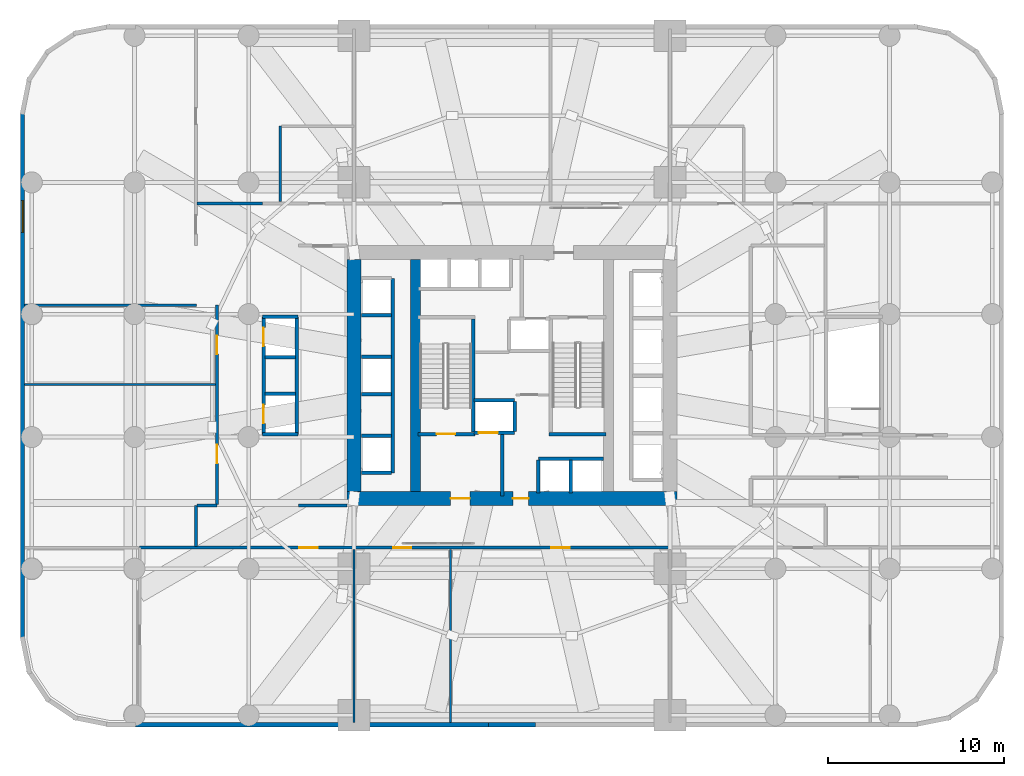
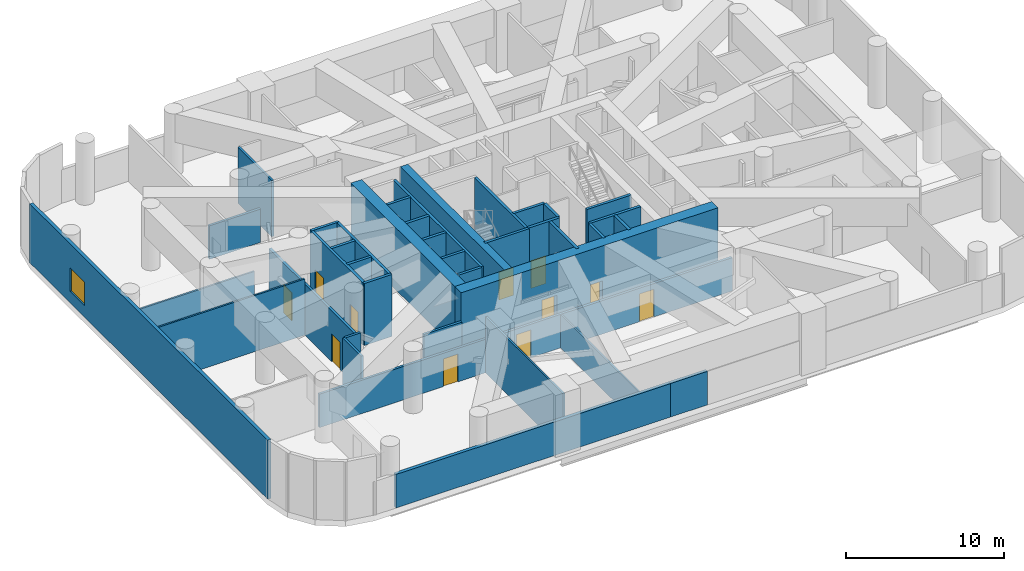
# One storey, part 6 of 10: 39 walls, 11 doors, 1 window, 12 openings.
"""IFC4 building model written with IfcOpenShell, lengths in metres."""

from ifc_helpers import new_model, si_unit, direction, frame, frame_2d, origin, place, context, subcontext, project, spatial, rectangle, extrude, material, layer, layer_set, type_object, element, fill, save


model = new_model("IFC4")

# Units and contexts
model_context = context("Model", 3, precision=1e-05, world=origin(), true_north=direction((0.0, 1.0)))
body_context = subcontext(model_context, "Body", "Model", "MODEL_VIEW")
ifc_project = project(units=[si_unit("LENGTHUNIT", "METRE"), si_unit("AREAUNIT", "SQUARE_METRE"), si_unit("VOLUMEUNIT", "CUBIC_METRE"), si_unit("PLANEANGLEUNIT", "RADIAN"), si_unit("MASSUNIT", "GRAM", prefix="KILO")], contexts=[model_context])

# Site, building, storey
site_placement = place(None, origin())
site = spatial("IfcSite", under=ifc_project, at=site_placement, CompositionType="ELEMENT")
building_placement = place(site_placement, origin())
building = spatial("IfcBuilding", under=site, at=building_placement, Name="Veldorim Arch Residences", CompositionType="ELEMENT")
storey_placement = place(building_placement, frame((0.0, 0.0, 20.0)))
storey = spatial("IfcBuildingStorey", under=building, at=storey_placement, Name="L05", CompositionType="ELEMENT", Elevation=20.0)

# Walls
ifc_material_1 = material(Name="Acoustic Gypsum Board", Category="gypsum")
ifc_layer_1 = layer(ifc_material_1, 0.125, Name="Acoustic Stud Room Partition Wall 125")
ifc_layer_set_1 = layer_set([ifc_layer_1], Name="Acoustic Gypsum Board")
wall_type_1 = type_object("IfcWallType", Name="Acoustic Stud Room Partition Wall 125", PredefinedType="PARTITIONING", material=ifc_layer_set_1)
wall_1_placement = place(storey_placement, frame((23.0, 14.10009765625, 0.0), z_axis=(0.0, 0.0, 1.0), x_axis=(0.0, -1.0, 0.0)))
element("IfcWall", 1, at=wall_1_placement, inside=storey, type_object=wall_type_1, Name="L05 interior wall WL-POD-L05-023", PredefinedType="PARTITIONING", context=body_context, shape_type="SweptSolid", body=[
    extrude(rectangle(XDim=9.85009765625, YDim=0.125, at=frame_2d((4.925048828125, 0.0))), origin(), (0.0, 0.0, 1.0), 4.344970703125),
])
wall_2_placement = place(storey_placement, frame((4.25, 23.5, 0.0), z_axis=(0.0, 0.0, 1.0), x_axis=(1.0, 0.0, 0.0)))
element("IfcWall", 2, at=wall_2_placement, inside=storey, type_object=wall_type_1, Name="L05 interior wall WL-POD-L05-024", PredefinedType="PARTITIONING", context=body_context, shape_type="SweptSolid", body=[
    extrude(rectangle(XDim=10.85009765625, YDim=0.125, at=frame_2d((5.425048828125, 0.0))), origin(), (0.0, 0.0, 1.0), 4.344970703125),
])
wall_3_placement = place(storey_placement, frame((4.25, 28.0, 0.0), z_axis=(0.0, 0.0, 1.0), x_axis=(1.0, 0.0, 0.0)))
element("IfcWall", 3, at=wall_3_placement, inside=storey, type_object=wall_type_1, Name="L05 interior wall WL-POD-L05-025", PredefinedType="PARTITIONING", context=body_context, shape_type="SweptSolid", body=[
    extrude(rectangle(XDim=9.77001953125, YDim=0.125, at=frame_2d((4.885009765625, 0.0))), origin(), (0.0, 0.0, 1.0), 2.587890625),
])
wall_4_placement = place(storey_placement, frame((28.5, 14.10009765625, 0.0), z_axis=(0.0, 0.0, 1.0), x_axis=(0.0, -1.0, 0.0)))
element("IfcWall", 4, at=wall_4_placement, inside=storey, type_object=wall_type_1, Name="L05 interior wall WL-POD-L05-034", PredefinedType="PARTITIONING", context=body_context, shape_type="SweptSolid", body=[
    extrude(rectangle(XDim=9.85009765625, YDim=0.125, at=frame_2d((4.925048828125, 0.0))), origin(), (0.0, 0.0, 1.0), 2.587890625),
])

# Wall, openings, doors
ifc_material_2 = material(Name="Lightweight Masonry Block & Gypsum", Category="masonry")
ifc_layer_2 = layer(ifc_material_2, 0.179931640625, Name="Compartment & Corridor Fire-Rated Party Wall 180")
ifc_layer_set_2 = layer_set([ifc_layer_2], Name="Lightweight Masonry Block & Gypsum")
wall_type_2 = type_object("IfcWallType", Name="Compartment & Corridor Fire-Rated Party Wall 180", PredefinedType="PARTITIONING", material=ifc_layer_set_2)
wall_5_placement = place(storey_placement, frame((41.02001953125, 14.199951171875, 0.0), z_axis=(0.0, 0.0, 1.0), x_axis=(-1.0, 0.0, 0.0)))
wall_5 = element("IfcWall", 5, at=wall_5_placement, inside=storey, type_object=wall_type_2, Name="L05 interior wall WL-POD-L05-001", PredefinedType="PARTITIONING", context=body_context, shape_type="SweptSolid", body=[
    extrude(rectangle(XDim=30.219970703125, YDim=0.179931640625, at=frame_2d((15.10986328125, 0.0))), origin(), (0.0, 0.0, 1.0), 2.587890625),
])
opening_1_placement = place(wall_5_placement, frame((20.0849609375, 0.0, 0.0)))
opening_1 = element("IfcOpeningElement", 6, at=opening_1_placement, cuts=wall_5, Name="Opening DR-CLN", PredefinedType="OPENING", context=body_context, shape_type="SweptSolid", body=[
    extrude(rectangle(XDim=1.050048828125, YDim=2.14990234375, at=frame_2d((0.52490234375, 1.074951171875))), frame((0.0, 0.099853515625, 0.0), z_axis=(0.0, -1.0, 0.0), x_axis=(1.0, 0.0, 0.0)), (0.0, 0.0, 1.0), 0.199951171875),
])
opening_2_placement = place(wall_5_placement, frame((14.7451171875, 0.0, 0.0)))
opening_2 = element("IfcOpeningElement", 7, at=opening_2_placement, cuts=wall_5, Name="Opening DR-CLN", PredefinedType="OPENING", context=body_context, shape_type="SweptSolid", body=[
    extrude(rectangle(XDim=1.050048828125, YDim=2.14990234375, at=frame_2d((0.52490234375, 1.074951171875))), frame((0.0, 0.099853515625, 0.0), z_axis=(0.0, -1.0, 0.0), x_axis=(1.0, 0.0, 0.0)), (0.0, 0.0, 1.0), 0.199951171875),
])
opening_3_placement = place(wall_5_placement, frame((5.7451171875, 0.0, 0.0)))
opening_3 = element("IfcOpeningElement", 8, at=opening_3_placement, cuts=wall_5, Name="Opening DR-CLN", PredefinedType="OPENING", context=body_context, shape_type="SweptSolid", body=[
    extrude(rectangle(XDim=1.050048828125, YDim=2.14990234375, at=frame_2d((0.52490234375, 1.074951171875))), frame((0.0, 0.099853515625, 0.0), z_axis=(0.0, -1.0, 0.0), x_axis=(1.0, 0.0, 0.0)), (0.0, 0.0, 1.0), 0.199951171875),
])
ifc_material_3 = material(Name="Timber & Vision Panel", Category="wood")
door_type_1 = type_object("IfcDoorType", Name="Polyclinic Wheelchair-Accessible Consultation Door 1050x2150", OperationType="SINGLE_SWING_LEFT", PredefinedType="DOOR", material=ifc_material_3)
door_1_placement = place(opening_1_placement, origin())
door_1 = element("IfcDoor", 9, at=door_1_placement, inside=storey, type_object=door_type_1, Name="L05 interior door DR-POD-L05-002", OperationType="SINGLE_SWING_RIGHT", OverallHeight=2.14990234375, OverallWidth=1.050048828125, PredefinedType="DOOR", context=body_context, shape_type="SweptSolid", body=[
    extrude(rectangle(XDim=1.050048828125, YDim=2.14990234375, at=frame_2d((0.52490234375, 1.074951171875))), frame((0.0, 0.02490234375, 0.0), z_axis=(0.0, -1.0, 0.0), x_axis=(1.0, 0.0, 0.0)), (0.0, 0.0, 1.0), 0.050048828125),
])
fill(opening_1, door_1)
door_2_placement = place(opening_2_placement, origin())
door_2 = element("IfcDoor", 10, at=door_2_placement, inside=storey, type_object=door_type_1, Name="L05 interior door DR-POD-L05-016", OperationType="SINGLE_SWING_RIGHT", OverallHeight=2.14990234375, OverallWidth=1.050048828125, PredefinedType="DOOR", context=body_context, shape_type="SweptSolid", body=[
    extrude(rectangle(XDim=1.050048828125, YDim=2.14990234375, at=frame_2d((0.52490234375, 1.074951171875))), frame((0.0, 0.02490234375, 0.0), z_axis=(0.0, -1.0, 0.0), x_axis=(1.0, 0.0, 0.0)), (0.0, 0.0, 1.0), 0.050048828125),
])
fill(opening_2, door_2)
door_3_placement = place(opening_3_placement, origin())
door_3 = element("IfcDoor", 11, at=door_3_placement, inside=storey, type_object=door_type_1, Name="L05 interior door DR-POD-L05-017", OperationType="SINGLE_SWING_LEFT", OverallHeight=2.14990234375, OverallWidth=1.050048828125, PredefinedType="DOOR", context=body_context, shape_type="SweptSolid", body=[
    extrude(rectangle(XDim=1.050048828125, YDim=2.14990234375, at=frame_2d((0.52490234375, 1.074951171875))), frame((0.0, 0.02490234375, 0.0), z_axis=(0.0, -1.0, 0.0), x_axis=(1.0, 0.0, 0.0)), (0.0, 0.0, 1.0), 0.050048828125),
])
fill(opening_3, door_3)

# Walls
wall_6_placement = place(storey_placement, frame((14.0, 14.260009765625, 0.0), z_axis=(0.0, 0.0, 1.0), x_axis=(0.0, 1.0, 0.0)))
element("IfcWall", 12, at=wall_6_placement, inside=storey, type_object=wall_type_2, Name="L05 interior wall WL-POD-L05-002", PredefinedType="PARTITIONING", context=body_context, shape_type="SweptSolid", body=[
    extrude(rectangle(XDim=2.340087890625, YDim=0.179931640625, at=frame_2d((1.169921875, 0.0))), origin(), (0.0, 0.0, 1.0), 4.344970703125),
])
wall_7_placement = place(storey_placement, frame((14.06005859375, 16.60009765625, 0.0), z_axis=(0.0, 0.0, 1.0), x_axis=(1.0, 0.0, 0.0)))
element("IfcWall", 13, at=wall_7_placement, inside=storey, type_object=wall_type_2, Name="L05 interior wall WL-POD-L05-003", PredefinedType="PARTITIONING", context=body_context, shape_type="SweptSolid", body=[
    extrude(rectangle(XDim=1.139892578125, YDim=0.179931640625, at=frame_2d((0.56982421875, 0.0))), origin(), (0.0, 0.0, 1.0), 4.344970703125),
])

# Wall, openings, doors
wall_8_placement = place(storey_placement, frame((15.199951171875, 16.659912109375, 0.0), z_axis=(0.0, 0.0, 1.0), x_axis=(0.0, 1.0, 0.0)))
wall_8 = element("IfcWall", 14, at=wall_8_placement, inside=storey, type_object=wall_type_2, Name="L05 interior wall WL-POD-L05-004", PredefinedType="PARTITIONING", context=body_context, shape_type="SweptSolid", body=[
    extrude(rectangle(XDim=11.360107421875, YDim=0.179931640625, at=frame_2d((5.68017578125, 0.0))), origin(), (0.0, 0.0, 1.0), 3.927734375),
])
opening_4_placement = place(wall_8_placement, frame((2.344970703125, 0.0, 0.0)))
opening_4 = element("IfcOpeningElement", 15, at=opening_4_placement, cuts=wall_8, Name="Opening DR-CLN", PredefinedType="OPENING", context=body_context, shape_type="SweptSolid", body=[
    extrude(rectangle(XDim=1.050048828125, YDim=2.14990234375, at=frame_2d((0.52490234375, 1.074951171875))), frame((0.0, 0.099853515625, 0.0), z_axis=(0.0, -1.0, 0.0), x_axis=(1.0, 0.0, 0.0)), (0.0, 0.0, 1.0), 0.199951171875),
])
opening_5_placement = place(wall_8_placement, frame((8.56494140625, 0.0, 0.0)))
opening_5 = element("IfcOpeningElement", 16, at=opening_5_placement, cuts=wall_8, Name="Opening DR-CLN", PredefinedType="OPENING", context=body_context, shape_type="SweptSolid", body=[
    extrude(rectangle(XDim=1.050048828125, YDim=2.14990234375, at=frame_2d((0.52490234375, 1.074951171875))), frame((0.0, 0.099853515625, 0.0), z_axis=(0.0, -1.0, 0.0), x_axis=(1.0, 0.0, 0.0)), (0.0, 0.0, 1.0), 0.199951171875),
])
door_4_placement = place(opening_4_placement, origin())
door_4 = element("IfcDoor", 17, at=door_4_placement, inside=storey, type_object=door_type_1, Name="L05 interior door DR-POD-L05-003", OperationType="SINGLE_SWING_LEFT", OverallHeight=2.14990234375, OverallWidth=1.050048828125, PredefinedType="DOOR", context=body_context, shape_type="SweptSolid", body=[
    extrude(rectangle(XDim=1.050048828125, YDim=2.14990234375, at=frame_2d((0.52490234375, 1.074951171875))), frame((0.0, 0.02490234375, 0.0), z_axis=(0.0, -1.0, 0.0), x_axis=(1.0, 0.0, 0.0)), (0.0, 0.0, 1.0), 0.050048828125),
])
fill(opening_4, door_4)
door_5_placement = place(opening_5_placement, origin())
door_5 = element("IfcDoor", 18, at=door_5_placement, inside=storey, type_object=door_type_1, Name="L05 interior door DR-POD-L05-004", OperationType="SINGLE_SWING_RIGHT", OverallHeight=2.14990234375, OverallWidth=1.050048828125, PredefinedType="DOOR", context=body_context, shape_type="SweptSolid", body=[
    extrude(rectangle(XDim=1.050048828125, YDim=2.14990234375, at=frame_2d((0.52490234375, 1.074951171875))), frame((0.0, 0.02490234375, 0.0), z_axis=(0.0, -1.0, 0.0), x_axis=(1.0, 0.0, 0.0)), (0.0, 0.0, 1.0), 0.050048828125),
])
fill(opening_5, door_5)

# Walls
wall_9_placement = place(storey_placement, frame((14.06005859375, 33.800048828125, 0.0), z_axis=(0.0, 0.0, 1.0), x_axis=(1.0, 0.0, 0.0)))
element("IfcWall", 19, at=wall_9_placement, inside=storey, type_object=wall_type_2, Name="L05 interior wall WL-POD-L05-007", PredefinedType="PARTITIONING", context=body_context, shape_type="SweptSolid", body=[
    extrude(rectangle(XDim=3.739990234375, YDim=0.179931640625, at=frame_2d((1.8701171875, 0.0))), origin(), (0.0, 0.0, 1.0), 2.587890625),
])
wall_10_placement = place(storey_placement, frame((19.830078125, 16.60009765625, 0.0), z_axis=(0.0, 0.0, 1.0), x_axis=(1.0, 0.0, 0.0)))
element("IfcWall", 20, at=wall_10_placement, inside=storey, type_object=wall_type_2, Name="L05 interior wall WL-POD-L05-009", PredefinedType="PARTITIONING", context=body_context, shape_type="SweptSolid", body=[
    extrude(rectangle(XDim=2.77001953125, YDim=0.179931640625, at=frame_2d((1.385009765625, 0.0))), origin(), (0.0, 0.0, 1.0), 2.587890625),
])
ifc_material_4 = material(Name="Concrete C50/60", Category="concrete")
ifc_layer_3 = layer(ifc_material_4, 0.199951171875, Name="Core Stair & Lift Shaft Enclosure Wall 200")
ifc_layer_set_3 = layer_set([ifc_layer_3], Name="Concrete C50/60")
wall_type_3 = type_object("IfcWallType", Name="Core Stair & Lift Shaft Enclosure Wall 200", PredefinedType="SHEAR", material=ifc_layer_set_3)
wall_11_placement = place(storey_placement, frame((29.7900390625, 20.780029296875, 0.0), z_axis=(0.0, 0.0, 1.0), x_axis=(0.0, 1.0, 0.0)))
element("IfcWall", 21, at=wall_11_placement, inside=storey, type_object=wall_type_3, Name="L05 shaft wall WL-SHF-L05-ST1-E", PredefinedType="SHEAR", context=body_context, shape_type="SweptSolid", body=[
    extrude(rectangle(XDim=6.43994140625, YDim=0.199951171875, at=frame_2d((3.219970703125, 0.0))), origin(), (0.0, 0.0, 1.0), 4.800048828125),
])

# Wall, opening, door
wall_12_placement = place(storey_placement, frame((26.64990234375, 20.669921875, 0.0), z_axis=(0.0, 0.0, 1.0), x_axis=(1.0, 0.0, 0.0)))
wall_12 = element("IfcWall", 22, at=wall_12_placement, inside=storey, type_object=wall_type_3, Name="L05 shaft wall WL-SHF-L05-ST1-S", PredefinedType="SHEAR", context=body_context, shape_type="SweptSolid", body=[
    extrude(rectangle(XDim=3.239990234375, YDim=0.199951171875, at=frame_2d((1.6201171875, 0.0))), origin(), (0.0, 0.0, 1.0), 4.800048828125),
])
opening_6_placement = place(wall_12_placement, frame((1.054931640625, 0.0, 0.0)))
opening_6 = element("IfcOpeningElement", 23, at=opening_6_placement, cuts=wall_12, Name="Opening DR-ST", PredefinedType="OPENING", context=body_context, shape_type="SweptSolid", body=[
    extrude(rectangle(XDim=1.050048828125, YDim=2.14990234375, at=frame_2d((0.52490234375, 1.074951171875))), frame((0.0, 0.10986328125, 0.0), z_axis=(0.0, -1.0, 0.0), x_axis=(1.0, 0.0, 0.0)), (0.0, 0.0, 1.0), 0.219970703125),
])
ifc_material_5 = material(Name="Fire-Rated Steel", Category="steel")
door_type_2 = type_object("IfcDoorType", Name="Exit Staircase Self-Closing Fire Door 1050x2150", OperationType="SINGLE_SWING_LEFT", PredefinedType="DOOR", material=ifc_material_5)
door_6_placement = place(opening_6_placement, origin())
door_6 = element("IfcDoor", 24, at=door_6_placement, inside=storey, type_object=door_type_2, Name="L05 interior door DR-L05-ST1", OperationType="SINGLE_SWING_LEFT", OverallHeight=2.14990234375, OverallWidth=1.050048828125, PredefinedType="DOOR", context=body_context, shape_type="SweptSolid", body=[
    extrude(rectangle(XDim=1.050048828125, YDim=2.14990234375, at=frame_2d((0.52490234375, 1.074951171875))), frame((0.0, 0.02490234375, 0.0), z_axis=(0.0, -1.0, 0.0), x_axis=(1.0, 0.0, 0.0)), (0.0, 0.0, 1.0), 0.050048828125),
])
fill(opening_6, door_6)

# Walls
wall_13_placement = place(storey_placement, frame((34.110107421875, 20.669921875, 0.0), z_axis=(0.0, 0.0, 1.0), x_axis=(1.0, 0.0, 0.0)))
element("IfcWall", 25, at=wall_13_placement, inside=storey, type_object=wall_type_3, Name="L05 shaft wall WL-SHF-L05-ST2-S", PredefinedType="SHEAR", context=body_context, shape_type="SweptSolid", body=[
    extrude(rectangle(XDim=3.239990234375, YDim=0.199951171875, at=frame_2d((1.6201171875, 0.0))), origin(), (0.0, 0.0, 1.0), 4.800048828125),
])
wall_14_placement = place(storey_placement, frame((31.449951171875, 17.14990234375, 0.0), z_axis=(0.0, 0.0, 1.0), x_axis=(0.0, 1.0, 0.0)))
element("IfcWall", 26, at=wall_14_placement, inside=storey, type_object=wall_type_3, Name="L05 shaft wall WL-FFL1-L05-E", PredefinedType="SHEAR", context=body_context, shape_type="SweptSolid", body=[
    extrude(rectangle(XDim=3.5, YDim=0.199951171875, at=frame_2d((1.75, 0.0))), origin(), (0.0, 0.0, 1.0), 4.800048828125),
])

# Wall, opening, door
wall_15_placement = place(storey_placement, frame((29.85009765625, 20.75, 0.0), z_axis=(0.0, 0.0, 1.0), x_axis=(1.0, 0.0, 0.0)))
wall_15 = element("IfcWall", 27, at=wall_15_placement, inside=storey, type_object=wall_type_3, Name="L05 shaft wall WL-FL01-L05-S", PredefinedType="SHEAR", context=body_context, shape_type="SweptSolid", body=[
    extrude(rectangle(XDim=2.2998046875, YDim=0.199951171875, at=frame_2d((1.14990234375, 0.0))), origin(), (0.0, 0.0, 1.0), 4.800048828125),
])
opening_7_placement = place(wall_15_placement, frame((0.25, 0.0, 0.0)))
opening_7 = element("IfcOpeningElement", 28, at=opening_7_placement, cuts=wall_15, Name="Opening LD-FF", PredefinedType="OPENING", context=body_context, shape_type="SweptSolid", body=[
    extrude(rectangle(XDim=1.10009765625, YDim=2.14990234375, at=frame_2d((0.550048828125, 1.074951171875))), frame((0.0, 0.10986328125, 0.0), z_axis=(0.0, -1.0, 0.0), x_axis=(1.0, 0.0, 0.0)), (0.0, 0.0, 1.0), 0.219970703125),
])
ifc_material_6 = material(Name="Stainless Steel", Category="steel")
door_type_3 = type_object("IfcDoorType", Name="Firefighting Lift Bi-Parting Sliding Landing Door 1100x2150", OperationType="DOUBLE_DOOR_SLIDING", PredefinedType="DOOR", material=ifc_material_6)
door_7_placement = place(opening_7_placement, origin())
door_7 = element("IfcDoor", 29, at=door_7_placement, inside=storey, type_object=door_type_3, Name="L05 lift landing door LD-L05-FL01", OperationType="DOUBLE_DOOR_SLIDING", OverallHeight=2.14990234375, OverallWidth=1.10009765625, PredefinedType="DOOR", context=body_context, shape_type="SweptSolid", body=[
    extrude(rectangle(XDim=1.10009765625, YDim=2.14990234375, at=frame_2d((0.550048828125, 1.074951171875))), frame((0.0, 0.02490234375, 0.0), z_axis=(0.0, -1.0, 0.0), x_axis=(1.0, 0.0, 0.0)), (0.0, 0.0, 1.0), 0.050048828125),
])
fill(opening_7, door_7)

# Walls
wall_16_placement = place(storey_placement, frame((29.85009765625, 22.60009765625, 0.0), z_axis=(0.0, 0.0, 1.0), x_axis=(1.0, 0.0, 0.0)))
element("IfcWall", 30, at=wall_16_placement, inside=storey, type_object=wall_type_3, Name="L05 shaft wall WL-FL01-L05-N", PredefinedType="SHEAR", context=body_context, shape_type="SweptSolid", body=[
    extrude(rectangle(XDim=2.2998046875, YDim=0.199951171875, at=frame_2d((1.14990234375, 0.0))), origin(), (0.0, 0.0, 1.0), 4.800048828125),
])
wall_17_placement = place(storey_placement, frame((32.14990234375, 20.820068359375, 0.0), z_axis=(0.0, 0.0, 1.0), x_axis=(0.0, 1.0, 0.0)))
element("IfcWall", 31, at=wall_17_placement, inside=storey, type_object=wall_type_3, Name="L05 shaft wall WL-FL01-L05-E", PredefinedType="SHEAR", context=body_context, shape_type="SweptSolid", body=[
    extrude(rectangle(XDim=1.7099609375, YDim=0.199951171875, at=frame_2d((0.85498046875, 0.0))), origin(), (0.0, 0.0, 1.0), 4.800048828125),
])
wall_18_placement = place(storey_placement, frame((25.199951171875, 18.4599609375, 0.0), z_axis=(0.0, 0.0, 1.0), x_axis=(0.0, 1.0, 0.0)))
element("IfcWall", 32, at=wall_18_placement, inside=storey, type_object=wall_type_3, Name="L05 shaft wall WL-B2-L05-E", PredefinedType="SHEAR", context=body_context, shape_type="SweptSolid", body=[
    extrude(rectangle(XDim=11.080078125, YDim=0.199951171875, at=frame_2d((5.5400390625, 0.0))), origin(), (0.0, 0.0, 1.0), 4.800048828125),
])
for number, where, z_axis, x_axis, name in (
    (33, (23.419921875, 18.4599609375, 0.0), (0.0, 0.0, 1.0), (1.0, 0.0, 0.0), "L05 shaft wall WL-B2-L05-S"),
    (34, (23.419921875, 20.56005859375, 0.0), (0.0, 0.0, 1.0), (1.0, 0.0, 0.0), "L05 shaft wall WL-B2-L05-D1A"),
    (35, (23.419921875, 22.93994140625, 0.0), (0.0, 0.0, 1.0), (1.0, 0.0, 0.0), "L05 shaft wall WL-B2-L05-D1B"),
    (36, (23.419921875, 25.06005859375, 0.0), (0.0, 0.0, 1.0), (1.0, 0.0, 0.0), "L05 shaft wall WL-B2-L05-D2A"),
    (37, (23.419921875, 27.43994140625, 0.0), (0.0, 0.0, 1.0), (1.0, 0.0, 0.0), "L05 shaft wall WL-B2-L05-D2B"),
):
    element("IfcWall", number, at=place(storey_placement, frame(where, z_axis=z_axis, x_axis=x_axis)), inside=storey, type_object=wall_type_3, Name=name, PredefinedType="SHEAR", context=body_context, shape_type="SweptSolid", body=[
        extrude(rectangle(XDim=1.7099609375, YDim=0.199951171875, at=frame_2d((0.85498046875, 0.0))), origin(), (0.0, 0.0, 1.0), 4.800048828125),
    ])
wall_19_placement = place(storey_placement, frame((33.5, 19.25, 0.0), z_axis=(0.0, 0.0, 1.0), x_axis=(1.0, 0.0, 0.0)))
element("IfcWall", 38, at=wall_19_placement, inside=storey, type_object=wall_type_3, Name="L05 shaft wall WL-OL-L05-N", PredefinedType="SHEAR", context=body_context, shape_type="SweptSolid", body=[
    extrude(rectangle(XDim=3.719970703125, YDim=0.199951171875, at=frame_2d((1.85986328125, 0.0))), origin(), (0.0, 0.0, 1.0), 4.800048828125),
])
for number, where, z_axis, x_axis, name in (
    (39, (33.5, 17.320068359375, 0.0), (0.0, 0.0, 1.0), (0.0, 1.0, 0.0), "L05 shaft wall WL-OL-L05-W"),
    (40, (35.35009765625, 17.320068359375, 0.0), (0.0, 0.0, 1.0), (0.0, 1.0, 0.0), "L05 shaft wall WL-OL-L05-D1"),
):
    element("IfcWall", number, at=place(storey_placement, frame(where, z_axis=z_axis, x_axis=x_axis)), inside=storey, type_object=wall_type_3, Name=name, PredefinedType="SHEAR", context=body_context, shape_type="SweptSolid", body=[
        extrude(rectangle(XDim=1.85986328125, YDim=0.199951171875, at=frame_2d((0.929931640625, 0.0))), origin(), (0.0, 0.0, 1.0), 4.800048828125),
    ])

# Wall, openings, doors
wall_20_placement = place(storey_placement, frame((17.85009765625, 20.64990234375, 0.0), z_axis=(0.0, 0.0, 1.0), x_axis=(0.0, 1.0, 0.0)))
wall_20 = element("IfcWall", 41, at=wall_20_placement, inside=storey, type_object=wall_type_3, Name="L05 shaft wall WL-SHF-L05-CL-W", PredefinedType="SHEAR", context=body_context, shape_type="SweptSolid", body=[
    extrude(rectangle(XDim=6.7001953125, YDim=0.199951171875, at=frame_2d((3.35009765625, 0.0))), origin(), (0.0, 0.0, 1.0), 4.800048828125),
])
opening_8_placement = place(wall_20_placement, frame((0.625, 0.0, 0.0)))
opening_8 = element("IfcOpeningElement", 42, at=opening_8_placement, cuts=wall_20, Name="Opening LD-PS", PredefinedType="OPENING", context=body_context, shape_type="SweptSolid", body=[
    extrude(rectangle(XDim=1.050048828125, YDim=2.14990234375, at=frame_2d((0.52490234375, 1.074951171875))), frame((0.0, 0.10986328125, 0.0), z_axis=(0.0, -1.0, 0.0), x_axis=(1.0, 0.0, 0.0)), (0.0, 0.0, 1.0), 0.219970703125),
])
opening_9_placement = place(wall_20_placement, frame((5.02490234375, 0.0, 0.0)))
opening_9 = element("IfcOpeningElement", 43, at=opening_9_placement, cuts=wall_20, Name="Opening LD-PS", PredefinedType="OPENING", context=body_context, shape_type="SweptSolid", body=[
    extrude(rectangle(XDim=1.050048828125, YDim=2.14990234375, at=frame_2d((0.52490234375, 1.074951171875))), frame((0.0, 0.10986328125, 0.0), z_axis=(0.0, -1.0, 0.0), x_axis=(1.0, 0.0, 0.0)), (0.0, 0.0, 1.0), 0.219970703125),
])
ifc_material_7 = material(Name="Stainless Steel", Category="steel")
door_type_4 = type_object("IfcDoorType", Name="Passenger Lift Bi-Parting Sliding Landing Door 1050x2150", OperationType="DOUBLE_DOOR_SLIDING", PredefinedType="DOOR", material=ifc_material_7)
door_8_placement = place(opening_8_placement, origin())
door_8 = element("IfcDoor", 44, at=door_8_placement, inside=storey, type_object=door_type_4, Name="L05 lift landing door LD-L05-CL-01", OperationType="DOUBLE_DOOR_SLIDING", OverallHeight=2.14990234375, OverallWidth=1.050048828125, PredefinedType="DOOR", context=body_context, shape_type="SweptSolid", body=[
    extrude(rectangle(XDim=1.050048828125, YDim=2.14990234375, at=frame_2d((0.52490234375, 1.074951171875))), frame((0.0, 0.02490234375, 0.0), z_axis=(0.0, -1.0, 0.0), x_axis=(1.0, 0.0, 0.0)), (0.0, 0.0, 1.0), 0.050048828125),
])
fill(opening_8, door_8)
door_9_placement = place(opening_9_placement, origin())
door_9 = element("IfcDoor", 45, at=door_9_placement, inside=storey, type_object=door_type_4, Name="L05 lift landing door LD-L05-CL-02", OperationType="DOUBLE_DOOR_SLIDING", OverallHeight=2.14990234375, OverallWidth=1.050048828125, PredefinedType="DOOR", context=body_context, shape_type="SweptSolid", body=[
    extrude(rectangle(XDim=1.050048828125, YDim=2.14990234375, at=frame_2d((0.52490234375, 1.074951171875))), frame((0.0, 0.02490234375, 0.0), z_axis=(0.0, -1.0, 0.0), x_axis=(1.0, 0.0, 0.0)), (0.0, 0.0, 1.0), 0.050048828125),
])
fill(opening_9, door_9)

# Walls
wall_21_placement = place(storey_placement, frame((19.75, 20.64990234375, 0.0), z_axis=(0.0, 0.0, 1.0), x_axis=(0.0, 1.0, 0.0)))
element("IfcWall", 46, at=wall_21_placement, inside=storey, type_object=wall_type_3, Name="L05 shaft wall WL-SHF-L05-CL-E", PredefinedType="SHEAR", context=body_context, shape_type="SweptSolid", body=[
    extrude(rectangle(XDim=6.7001953125, YDim=0.199951171875, at=frame_2d((3.35009765625, 0.0))), origin(), (0.0, 0.0, 1.0), 4.800048828125),
])
for number, where, z_axis, x_axis, name in (
    (47, (17.800048828125, 20.64990234375, 0.0), (0.0, 0.0, 1.0), (1.0, 0.0, 0.0), "L05 shaft wall WL-SHF-L05-CL-S"),
    (48, (17.800048828125, 27.35009765625, 0.0), (0.0, 0.0, 1.0), (1.0, 0.0, 0.0), "L05 shaft wall WL-SHF-L05-CL-N"),
):
    element("IfcWall", number, at=place(storey_placement, frame(where, z_axis=z_axis, x_axis=x_axis)), inside=storey, type_object=wall_type_3, Name=name, PredefinedType="SHEAR", context=body_context, shape_type="SweptSolid", body=[
        extrude(rectangle(XDim=2.0, YDim=0.199951171875, at=frame_2d((1.0, 0.0))), origin(), (0.0, 0.0, 1.0), 4.800048828125),
    ])
for number, where, z_axis, x_axis, name in (
    (49, (17.919921875, 22.969970703125, 0.0), (0.0, 0.0, 1.0), (1.0, 0.0, 0.0), "L05 shaft wall WL-SHF-L05-CL-M1"),
    (50, (17.919921875, 25.030029296875, 0.0), (0.0, 0.0, 1.0), (1.0, 0.0, 0.0), "L05 shaft wall WL-SHF-L05-CL-M2"),
):
    element("IfcWall", number, at=place(storey_placement, frame(where, z_axis=z_axis, x_axis=x_axis)), inside=storey, type_object=wall_type_3, Name=name, PredefinedType="SHEAR", context=body_context, shape_type="SweptSolid", body=[
        extrude(rectangle(XDim=1.760009765625, YDim=0.199951171875, at=frame_2d((0.8798828125, 0.0))), origin(), (0.0, 0.0, 1.0), 4.800048828125),
    ])
ifc_material_8 = material(Name="Concrete C60/75", Category="concrete")
ifc_layer_4 = layer(ifc_material_8, 0.56005859375, Name="Internal Core Shear Web Wall 560")
ifc_layer_set_4 = layer_set([ifc_layer_4], Name="Concrete C60/75")
wall_type_4 = type_object("IfcWallType", Name="Internal Core Shear Web Wall 560", PredefinedType="SHEAR", material=ifc_layer_set_4)
wall_22_placement = place(storey_placement, frame((26.5, 17.39990234375, 0.0), z_axis=(0.0, 0.0, 1.0), x_axis=(0.0, 1.0, 0.0)))
element("IfcWall", 51, at=wall_22_placement, inside=storey, type_object=wall_type_4, Name="L05 core west internal shear web", PredefinedType="SHEAR", context=body_context, shape_type="SweptSolid", body=[
    extrude(rectangle(XDim=13.2001953125, YDim=0.56005859375, at=frame_2d((6.60009765625, 0.0))), origin(), (0.0, 0.0, 1.0), 4.800048828125),
])

# Wall, openings, doors
ifc_material_9 = material(Name="Concrete C60/75", Category="concrete")
ifc_layer_5 = layer(ifc_material_9, 0.800048828125, Name="Lower Central Core Shear Wall 800")
ifc_layer_set_5 = layer_set([ifc_layer_5], Name="Concrete C60/75")
wall_type_5 = type_object("IfcWallType", Name="Lower Central Core Shear Wall 800", PredefinedType="SHEAR", material=ifc_layer_set_5)
wall_23_placement = place(storey_placement, frame((22.60009765625, 17.0, 0.0), z_axis=(0.0, 0.0, 1.0), x_axis=(1.0, 0.0, 0.0)))
wall_23 = element("IfcWall", 52, at=wall_23_placement, inside=storey, type_object=wall_type_5, Name="L05 central core south shear wall", PredefinedType="SHEAR", context=body_context, shape_type="SweptSolid", body=[
    extrude(rectangle(XDim=18.7998046875, YDim=0.800048828125, at=frame_2d((9.39990234375, 0.0))), origin(), (0.0, 0.0, 1.0), 4.800048828125),
])
opening_10_placement = place(wall_23_placement, frame((5.89990234375, 0.0, 0.0)))
opening_10 = element("IfcOpeningElement", 53, at=opening_10_placement, cuts=wall_23, Name="Opening DR-FFL", PredefinedType="OPENING", context=body_context, shape_type="SweptSolid", body=[
    extrude(rectangle(XDim=1.10009765625, YDim=2.14990234375, at=frame_2d((0.550048828125, 1.074951171875))), frame((0.0, 0.409912109375, 0.0), z_axis=(0.0, -1.0, 0.0), x_axis=(1.0, 0.0, 0.0)), (0.0, 0.0, 1.0), 0.820068359375),
])
opening_11_placement = place(wall_23_placement, frame((9.449951171875, 0.0, 0.0)))
opening_11 = element("IfcOpeningElement", 54, at=opening_11_placement, cuts=wall_23, Name="Opening DR-SVC", PredefinedType="OPENING", context=body_context, shape_type="SweptSolid", body=[
    extrude(rectangle(XDim=0.89990234375, YDim=2.10009765625, at=frame_2d((0.449951171875, 1.050048828125))), frame((0.0, 0.409912109375, 0.0), z_axis=(0.0, -1.0, 0.0), x_axis=(1.0, 0.0, 0.0)), (0.0, 0.0, 1.0), 0.820068359375),
])
ifc_material_10 = material(Name="Fire-Rated Steel & Vision Glass", Category="steel")
door_type_5 = type_object("IfcDoorType", Name="Firefighting Lobby Smoke-Stop Fire Door 1100x2150", OperationType="SINGLE_SWING_LEFT", PredefinedType="DOOR", material=ifc_material_10)
door_10_placement = place(opening_10_placement, origin())
door_10 = element("IfcDoor", 55, at=door_10_placement, inside=storey, type_object=door_type_5, Name="L05 interior door DR-L05-FFL1", OperationType="SINGLE_SWING_RIGHT", OverallHeight=2.14990234375, OverallWidth=1.10009765625, PredefinedType="DOOR", context=body_context, shape_type="SweptSolid", body=[
    extrude(rectangle(XDim=1.10009765625, YDim=2.14990234375, at=frame_2d((0.550048828125, 1.074951171875))), frame((0.0, 0.02490234375, 0.0), z_axis=(0.0, -1.0, 0.0), x_axis=(1.0, 0.0, 0.0)), (0.0, 0.0, 1.0), 0.050048828125),
])
fill(opening_10, door_10)
ifc_material_11 = material(Name="Fire-Rated Steel", Category="steel")
door_type_6 = type_object("IfcDoorType", Name="Riser, Shelter & Plant Room Rated Steel Door 900x2100", OperationType="SINGLE_SWING_LEFT", PredefinedType="DOOR", material=ifc_material_11)
door_11_placement = place(opening_11_placement, origin())
door_11 = element("IfcDoor", 56, at=door_11_placement, inside=storey, type_object=door_type_6, Name="L05 interior door DR-L05-COR-ANC", OperationType="SINGLE_SWING_LEFT", OverallHeight=2.10009765625, OverallWidth=0.89990234375, PredefinedType="DOOR", context=body_context, shape_type="SweptSolid", body=[
    extrude(rectangle(XDim=0.89990234375, YDim=2.10009765625, at=frame_2d((0.449951171875, 1.050048828125))), frame((0.0, 0.02490234375, 0.0), z_axis=(0.0, -1.0, 0.0), x_axis=(1.0, 0.0, 0.0)), (0.0, 0.0, 1.0), 0.050048828125),
])
fill(opening_11, door_11)

# Wall
wall_24_placement = place(storey_placement, frame((23.0, 17.39990234375, 0.0), z_axis=(0.0, 0.0, 1.0), x_axis=(0.0, 1.0, 0.0)))
element("IfcWall", 57, at=wall_24_placement, inside=storey, type_object=wall_type_5, Name="L05 central core west shear wall", PredefinedType="SHEAR", context=body_context, shape_type="SweptSolid", body=[
    extrude(rectangle(XDim=13.2001953125, YDim=0.800048828125, at=frame_2d((6.60009765625, 0.0))), origin(), (0.0, 0.0, 1.0), 4.800048828125),
])

# Wall, opening, window
ifc_material_12 = material(Name="Precast concrete C40/50", Category="concrete")
ifc_layer_6 = layer(ifc_material_12, 0.25, Name="Podium Terracotta Insulated Facade Wall 250")
ifc_layer_set_6 = layer_set([ifc_layer_6], Name="Precast concrete C40/50")
wall_type_6 = type_object("IfcWallType", Name="Podium Terracotta Insulated Facade Wall 250", PredefinedType="SOLIDWALL", material=ifc_layer_set_6)
wall_25_placement = place(storey_placement, frame((4.125, 8.89990234375, 0.0), z_axis=(0.0, 0.0, 1.0), x_axis=(0.0, 1.0, 0.0)))
wall_25 = element("IfcWall", 58, at=wall_25_placement, inside=storey, type_object=wall_type_6, Name="L05 podium terracotta facade wall 14", PredefinedType="SOLIDWALL", context=body_context, shape_type="SweptSolid", body=[
    extrude(rectangle(XDim=30.2001953125, YDim=0.25, at=frame_2d((15.10009765625, 0.0))), origin(), (0.0, 0.0, 1.0), 4.56005859375),
])
opening_12_placement = place(wall_25_placement, frame((23.260009765625, 0.0, 0.89990234375)))
opening_12 = element("IfcOpeningElement", 59, at=opening_12_placement, cuts=wall_25, Name="Opening WN-01", PredefinedType="OPENING", context=body_context, shape_type="SweptSolid", body=[
    extrude(rectangle(XDim=1.800048828125, YDim=1.800048828125, at=frame_2d((0.89990234375, 0.89990234375))), frame((0.0, 0.135009765625, 0.0), z_axis=(0.0, -1.0, 0.0), x_axis=(1.0, 0.0, 0.0)), (0.0, 0.0, 1.0), 0.27001953125),
])
ifc_material_13 = material(Name="Laminated Low-E Glass", Category="glass")
window_type = type_object("IfcWindowType", Name="Polyclinic Double-Glazed Window 1800x1800", PartitioningType="SINGLE_PANEL", PredefinedType="WINDOW", material=ifc_material_13)
window_placement = place(opening_12_placement, origin())
window = element("IfcWindow", 60, at=window_placement, inside=storey, type_object=window_type, Name="L05 outpatient clinic window 14-4", OverallHeight=1.800048828125, OverallWidth=1.800048828125, PartitioningType="SINGLE_PANEL", PredefinedType="WINDOW", context=body_context, shape_type="SweptSolid", body=[
    extrude(rectangle(XDim=1.800048828125, YDim=1.800048828125, at=frame_2d((0.89990234375, 0.89990234375))), frame((0.0, 0.030029296875, 0.0), z_axis=(0.0, -1.0, 0.0), x_axis=(1.0, 0.0, 0.0)), (0.0, 0.0, 1.0), 0.06005859375),
])
fill(opening_12, window)

# Walls
wall_26_placement = place(storey_placement, frame((33.35009765625, 4.125, 0.0), z_axis=(0.0, 0.0, 1.0), x_axis=(-1.0, 0.0, 0.0)))
element("IfcWall", 61, at=wall_26_placement, inside=storey, type_object=wall_type_6, Name="L05 podium facade pier wall 19M", PredefinedType="SOLIDWALL", context=body_context, shape_type="SweptSolid", body=[
    extrude(rectangle(XDim=2.7001953125, YDim=0.25, at=frame_2d((1.35009765625, 0.0))), origin(), (0.0, 0.0, 1.0), 2.594970703125),
])
wall_27_placement = place(storey_placement, frame((30.64990234375, 4.125, 0.0), z_axis=(0.0, 0.0, 1.0), x_axis=(-1.0, 0.0, 0.0)))
element("IfcWall", 62, at=wall_27_placement, inside=storey, type_object=wall_type_6, Name="L05 podium facade wall 19C2", PredefinedType="SOLIDWALL", context=body_context, shape_type="SweptSolid", body=[
    extrude(rectangle(XDim=20.099853515625, YDim=0.25, at=frame_2d((10.0498046875, 0.0))), origin(), (0.0, 0.0, 1.0), 2.594970703125),
])
ifc_material_14 = material(Name="Moisture-Resistant Gypsum & Stud", Category="gypsum")
ifc_layer_7 = layer(ifc_material_14, 0.159912109375, Name="Wet-Area Moisture-Resistant Plumbing Wall 160")
ifc_layer_set_7 = layer_set([ifc_layer_7], Name="Moisture-Resistant Gypsum & Stud")
wall_type_7 = type_object("IfcWallType", Name="Wet-Area Moisture-Resistant Plumbing Wall 160", PredefinedType="PLUMBINGWALL", material=ifc_layer_set_7)
wall_28_placement = place(storey_placement, frame((18.800048828125, 33.89990234375, 0.0), z_axis=(0.0, 0.0, 1.0), x_axis=(0.0, 1.0, 0.0)))
element("IfcWall", 63, at=wall_28_placement, inside=storey, type_object=wall_type_7, Name="L05 interior wall WL-POD-L05-026", PredefinedType="PLUMBINGWALL", context=body_context, shape_type="SweptSolid", body=[
    extrude(rectangle(XDim=4.300048828125, YDim=0.159912109375, at=frame_2d((2.14990234375, 0.0))), origin(), (0.0, 0.0, 1.0), 4.344970703125),
])

save(model, "model.ifc")
